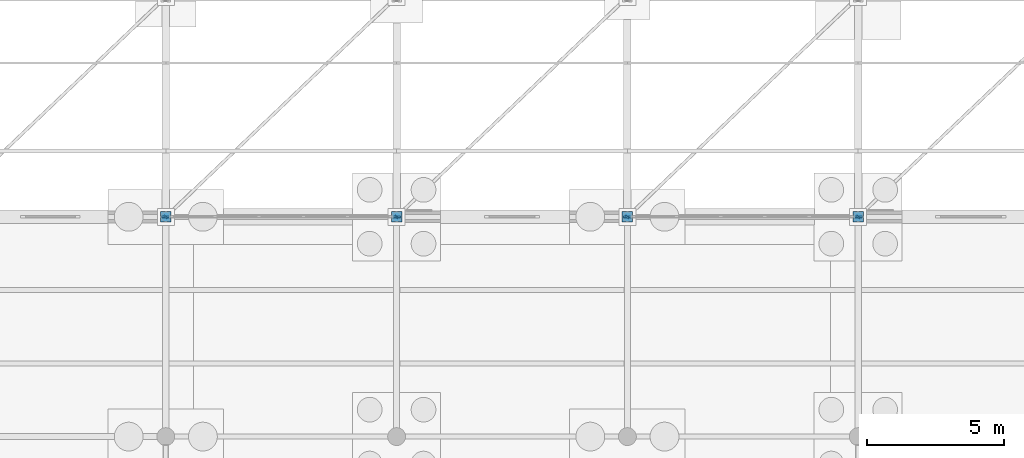
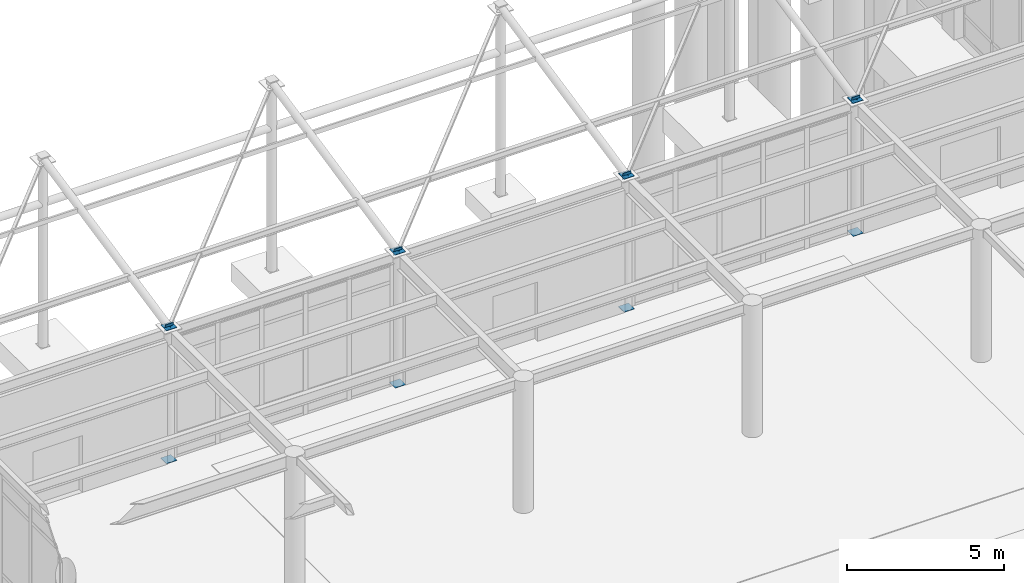
# One storey, part 110 of 138: 16 discrete accessories.
"""IFC4 building model written with IfcOpenShell, lengths in metres."""

from ifc_helpers import new_model, si_unit, direction, frame, origin, origin_2d, place, context, subcontext, project, spatial, rectangle, extrude, material, layer, layer_set, type_object, element, save


model = new_model("IFC4")

# Units and contexts
model_context = context("Model", 3, precision=1e-05, world=origin(), true_north=direction((0.0, 1.0)))
body_context = subcontext(model_context, "Body", "Model", "MODEL_VIEW")
ifc_project = project(units=[si_unit("LENGTHUNIT", "METRE"), si_unit("AREAUNIT", "SQUARE_METRE"), si_unit("VOLUMEUNIT", "CUBIC_METRE"), si_unit("PLANEANGLEUNIT", "RADIAN"), si_unit("MASSUNIT", "GRAM", prefix="KILO")], contexts=[model_context])

# Site, building, storey
site_placement = place(None, origin())
site = spatial("IfcSite", under=ifc_project, at=site_placement, CompositionType="ELEMENT")
building_placement = place(site_placement, origin())
building = spatial("IfcBuilding", under=site, at=building_placement, Name="Kranzveld Transit Interchange", CompositionType="ELEMENT")
storey_placement = place(building_placement, origin())
storey = spatial("IfcBuildingStorey", under=building, at=storey_placement, Name="L00", CompositionType="ELEMENT", Elevation=0.0)

# Discrete accessories
ifc_material = material(Name="Steel S355JR", Category="steel")
ifc_layer = layer(ifc_material, 0.02001953125)
ifc_layer_set = layer_set([ifc_layer], Name="Steel S355JR")
discrete_accessory_type = type_object("IfcDiscreteAccessoryType", Name="Hollow Section End Cap Bracket 20 S355JR", PredefinedType="BRACKET", material=ifc_layer_set)
for number, where, z_axis, x_axis, name in (
    (1, (67.199951171875, 88.0, 0.00390625), (0.0, 0.0, -1.0), (1.0, 0.0, 0.0), "Hollow Section End Cap C-CHS356-1"),
    (2, (67.199951171875, 88.0, 5.14599609375), (0.0, 0.0, 1.0), (1.0, 0.0, 0.0), "Hollow Section End Cap C-CHS356-2"),
    (3, (75.60009765625, 88.0, 0.00390625), (0.0, 0.0, -1.0), (1.0, 0.0, 0.0), "Hollow Section End Cap C-CHS356-1"),
    (4, (75.60009765625, 88.0, 5.14599609375), (0.0, 0.0, 1.0), (1.0, 0.0, 0.0), "Hollow Section End Cap C-CHS356-2"),
    (5, (84.0, 88.0, 0.00390625), (0.0, 0.0, -1.0), (1.0, 0.0, 0.0), "Hollow Section End Cap C-CHS356-1"),
    (6, (84.0, 88.0, 5.14599609375), (0.0, 0.0, 1.0), (1.0, 0.0, 0.0), "Hollow Section End Cap C-CHS356-2"),
    (7, (92.39990234375, 88.0, 0.00390625), (0.0, 0.0, -1.0), (1.0, 0.0, 0.0), "Hollow Section End Cap C-CHS356-1"),
    (8, (92.39990234375, 88.0, 5.14599609375), (0.0, 0.0, 1.0), (1.0, 0.0, 0.0), "Hollow Section End Cap C-CHS356-2"),
):
    element("IfcDiscreteAccessory", number, at=place(storey_placement, frame(where, z_axis=z_axis, x_axis=x_axis)), inside=storey, type_object=discrete_accessory_type, Name=name, PredefinedType="BRACKET", context=body_context, shape_type="SweptSolid", body=[
        extrude(rectangle(XDim=0.379638671875, YDim=0.379638671875, at=origin_2d()), origin(), (0.0, 0.0, 1.0), 0.02001953125),
    ])
discrete_accessory_1_placement = place(storey_placement, frame((67.199951171875, 88.00390625, 5.140869140625), z_axis=(0.0, -0.978158850918, -0.20785875582), x_axis=(1.0, 0.0, 0.0)))
element("IfcDiscreteAccessory", 9, at=discrete_accessory_1_placement, inside=storey, type_object=discrete_accessory_type, Name="Hollow Section End Cap ST-CHS273-1", PredefinedType="BRACKET", context=body_context, shape_type="SweptSolid", body=[
    extrude(rectangle(XDim=0.297119140625, YDim=0.297119140625, at=origin_2d()), origin(), (0.0, 0.0, 1.0), 0.02001953125),
])
discrete_accessory_2_placement = place(storey_placement, frame((67.202880859375, 88.002685546875, 5.1005859375), z_axis=(-0.717540706156, -0.681055585504, -0.145940482608), x_axis=(0.688426310031, -0.725306290926, 0.0)))
element("IfcDiscreteAccessory", 10, at=discrete_accessory_2_placement, inside=storey, type_object=discrete_accessory_type, Name="Hollow Section End Cap BR-SHS120-1", PredefinedType="BRACKET", context=body_context, shape_type="SweptSolid", body=[
    extrude(rectangle(XDim=0.14404296875, YDim=0.14404296875, at=origin_2d()), origin(), (0.0, 0.0, 1.0), 0.02001953125),
])
discrete_accessory_3_placement = place(storey_placement, frame((75.60009765625, 88.00390625, 5.140869140625), z_axis=(0.0, -0.978158850918, -0.20785875582), x_axis=(1.0, 0.0, 0.0)))
element("IfcDiscreteAccessory", 11, at=discrete_accessory_3_placement, inside=storey, type_object=discrete_accessory_type, Name="Hollow Section End Cap ST-CHS273-1", PredefinedType="BRACKET", context=body_context, shape_type="SweptSolid", body=[
    extrude(rectangle(XDim=0.297119140625, YDim=0.297119140625, at=origin_2d()), origin(), (0.0, 0.0, 1.0), 0.02001953125),
])
discrete_accessory_4_placement = place(storey_placement, frame((75.602783203125, 88.002685546875, 5.1005859375), z_axis=(-0.711562711977, -0.687026066737, -0.147219871444), x_axis=(0.6945945137, -0.719401460617, 0.0)))
element("IfcDiscreteAccessory", 12, at=discrete_accessory_4_placement, inside=storey, type_object=discrete_accessory_type, Name="Hollow Section End Cap BR-SHS120-1", PredefinedType="BRACKET", context=body_context, shape_type="SweptSolid", body=[
    extrude(rectangle(XDim=0.14404296875, YDim=0.14404296875, at=origin_2d()), origin(), (0.0, 0.0, 1.0), 0.02001953125),
])
discrete_accessory_5_placement = place(storey_placement, frame((84.0, 88.00390625, 5.140869140625), z_axis=(0.0, -0.978158850918, -0.20785875582), x_axis=(1.0, 0.0, 0.0)))
element("IfcDiscreteAccessory", 13, at=discrete_accessory_5_placement, inside=storey, type_object=discrete_accessory_type, Name="Hollow Section End Cap ST-CHS273-1", PredefinedType="BRACKET", context=body_context, shape_type="SweptSolid", body=[
    extrude(rectangle(XDim=0.297119140625, YDim=0.297119140625, at=origin_2d()), origin(), (0.0, 0.0, 1.0), 0.02001953125),
])
discrete_accessory_6_placement = place(storey_placement, frame((84.0029296875, 88.002685546875, 5.1005859375), z_axis=(-0.717540706156, -0.681055585504, -0.145940482608), x_axis=(0.688426310031, -0.725306290926, 0.0)))
element("IfcDiscreteAccessory", 14, at=discrete_accessory_6_placement, inside=storey, type_object=discrete_accessory_type, Name="Hollow Section End Cap BR-SHS120-1", PredefinedType="BRACKET", context=body_context, shape_type="SweptSolid", body=[
    extrude(rectangle(XDim=0.14404296875, YDim=0.14404296875, at=origin_2d()), origin(), (0.0, 0.0, 1.0), 0.02001953125),
])
discrete_accessory_7_placement = place(storey_placement, frame((92.39990234375, 88.00390625, 5.140869140625), z_axis=(0.0, -0.978158850918, -0.20785875582), x_axis=(1.0, 0.0, 0.0)))
element("IfcDiscreteAccessory", 15, at=discrete_accessory_7_placement, inside=storey, type_object=discrete_accessory_type, Name="Hollow Section End Cap ST-CHS273-1", PredefinedType="BRACKET", context=body_context, shape_type="SweptSolid", body=[
    extrude(rectangle(XDim=0.297119140625, YDim=0.297119140625, at=origin_2d()), origin(), (0.0, 0.0, 1.0), 0.02001953125),
])
discrete_accessory_8_placement = place(storey_placement, frame((92.40283203125, 88.002685546875, 5.1005859375), z_axis=(-0.717540706156, -0.681055585504, -0.145940482608), x_axis=(0.688426310031, -0.725306290926, 0.0)))
element("IfcDiscreteAccessory", 16, at=discrete_accessory_8_placement, inside=storey, type_object=discrete_accessory_type, Name="Hollow Section End Cap BR-SHS120-1", PredefinedType="BRACKET", context=body_context, shape_type="SweptSolid", body=[
    extrude(rectangle(XDim=0.14404296875, YDim=0.14404296875, at=origin_2d()), origin(), (0.0, 0.0, 1.0), 0.02001953125),
])

save(model, "model.ifc")
